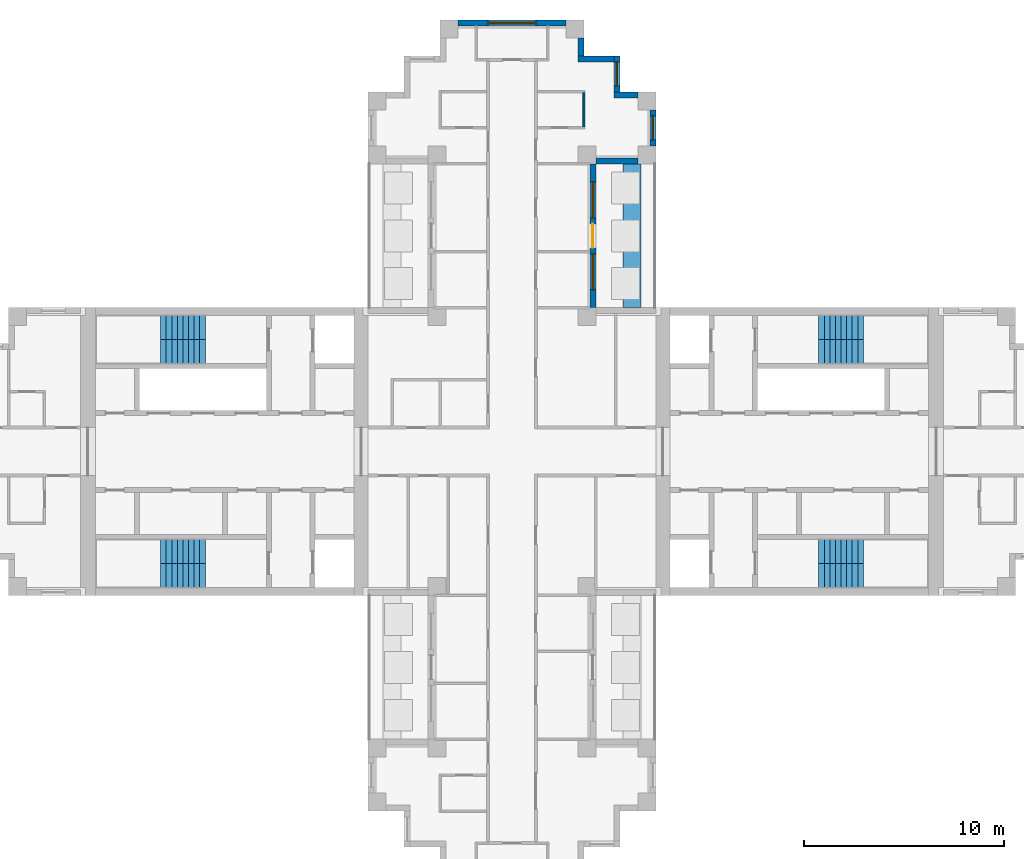
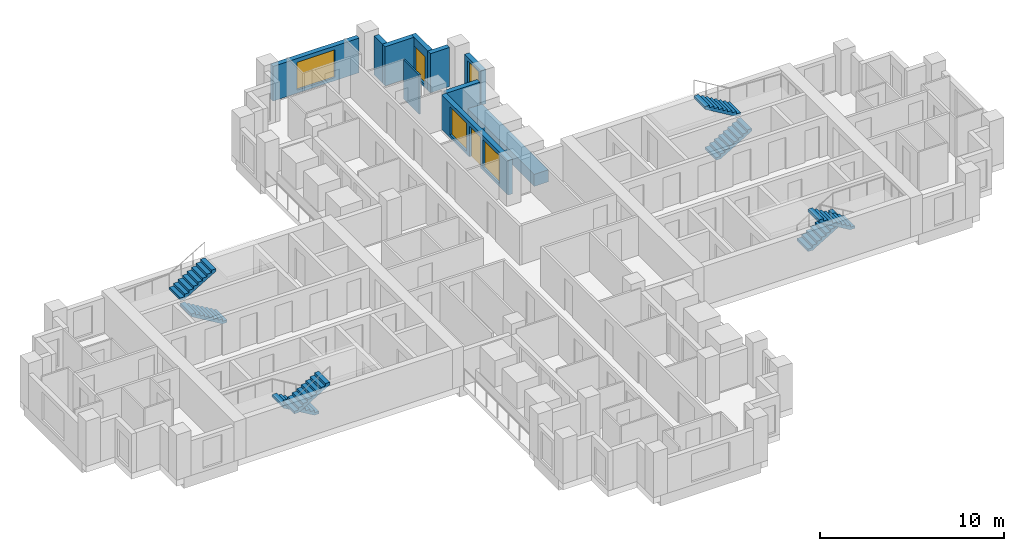
# One storey, part 8 of 10: 10 walls, 8 stair flights, 5 windows, 1 door, 6 openings, 4 elements without a shape of their own.
"""IFC4 building model written with IfcOpenShell, lengths in metres."""

from ifc_helpers import new_model, si_unit, direction, frame, frame_2d, origin, place, context, subcontext, project, spatial, polyline, rectangle, outline, extrude, material, layer, layer_set, type_object, element, fill, aggregate, save


model = new_model("IFC4")

# Units and contexts
model_context = context("Model", 3, precision=1e-05, world=origin(), true_north=direction((0.0, 1.0)))
body_context = subcontext(model_context, "Body", "Model", "MODEL_VIEW")
ifc_project = project(units=[si_unit("LENGTHUNIT", "METRE"), si_unit("AREAUNIT", "SQUARE_METRE"), si_unit("VOLUMEUNIT", "CUBIC_METRE"), si_unit("PLANEANGLEUNIT", "RADIAN"), si_unit("MASSUNIT", "GRAM", prefix="KILO")], contexts=[model_context])

# Site, building, storey
site_placement = place(None, origin())
site = spatial("IfcSite", under=ifc_project, at=site_placement, CompositionType="ELEMENT")
building_placement = place(site_placement, origin())
building = spatial("IfcBuilding", under=site, at=building_placement, Name="Fustian Cross Tower", CompositionType="ELEMENT")
storey_placement = place(building_placement, frame((0.0, 0.0, 231.89990234375)))
storey = spatial("IfcBuildingStorey", under=building, at=storey_placement, Name="L73", CompositionType="ELEMENT", Elevation=231.89990234375)

# Walls
ifc_material_1 = material(Name="Plasterboard on steel stud", Category="steel")
ifc_layer_1 = layer(ifc_material_1, 0.10009765625)
ifc_layer_set_1 = layer_set([ifc_layer_1], Name="Plasterboard on steel stud")
wall_type_1 = type_object("IfcWallType", Name="PARTITION 100 STUD", PredefinedType="PARTITIONING", material=ifc_layer_set_1)
wall_1_placement = place(storey_placement, frame((3.60009765625, 16.25, 0.0), z_axis=(0.0, 0.0, 1.0), x_axis=(0.0, 1.0, 0.0)))
element("IfcWall", 1, at=wall_1_placement, inside=storey, type_object=wall_type_1, Name="Partition 58", PredefinedType="PARTITIONING", context=body_context, shape_type="SweptSolid", body=[
    extrude(rectangle(XDim=1.699951171875, YDim=0.10009765625, at=frame_2d((0.85009765625, 0.0))), origin(), (0.0, 0.0, 1.0), 2.60009765625),
])
ifc_material_2 = material(Name="Concrete C40/50", Category="concrete")
ifc_layer_2 = layer(ifc_material_2, 0.89990234375)
ifc_layer_set_2 = layer_set([ifc_layer_2], Name="Concrete C40/50")
wall_type_2 = type_object("IfcWallType", Name="PK1 PLANTER 900", PredefinedType="PARAPET", material=ifc_layer_set_2)
wall_2_placement = place(storey_placement, frame((6.0, 7.199951171875, 0.0), z_axis=(0.0, 0.0, 1.0), x_axis=(0.0, 1.0, 0.0)))
element("IfcWall", 2, at=wall_2_placement, inside=storey, type_object=wall_type_2, Name="PLANTER", PredefinedType="PARAPET", context=body_context, shape_type="SweptSolid", body=[
    extrude(rectangle(XDim=7.199951171875, YDim=0.89990234375, at=frame_2d((3.60009765625, 0.0))), origin(), (0.0, 0.0, 1.0), 0.800048828125),
])

# Wall, openings, door, windows
ifc_material_3 = material(Name="Dark aluminium cladding on insulated backing wall", Category="aluminium")
ifc_layer_3 = layer(ifc_material_3, 0.300048828125)
ifc_layer_set_3 = layer_set([ifc_layer_3], Name="Dark aluminium cladding on insulated backing wall")
wall_type_3 = type_object("IfcWallType", Name="XW1 EXTERNAL WALL 300", PredefinedType="SOLIDWALL", material=ifc_layer_set_3)
wall_3_placement = place(storey_placement, frame((4.050048828125, 7.199951171875, 0.0), z_axis=(0.0, 0.0, 1.0), x_axis=(0.0, 1.0, 0.0)))
wall_3 = element("IfcWall", 3, at=wall_3_placement, inside=storey, type_object=wall_type_3, Name="External wall", PredefinedType="SOLIDWALL", context=body_context, shape_type="SweptSolid", body=[
    extrude(rectangle(XDim=7.199951171875, YDim=0.300048828125, at=frame_2d((3.60009765625, 0.0))), origin(), (0.0, 0.0, 1.0), 2.300048828125),
])
opening_1_placement = place(wall_3_placement, frame((3.0, 0.0, 0.0)))
opening_1 = element("IfcOpeningElement", 4, at=opening_1_placement, cuts=wall_3, Name="Opening XD1", PredefinedType="OPENING", context=body_context, shape_type="SweptSolid", body=[
    extrude(rectangle(XDim=1.199951171875, YDim=2.050048828125, at=frame_2d((0.60009765625, 1.02490234375))), frame((0.0, 0.159912109375, 0.0), z_axis=(0.0, -1.0, 0.0), x_axis=(1.0, 0.0, 0.0)), (0.0, 0.0, 1.0), 0.320068359375),
])
opening_2_placement = place(wall_3_placement, frame((0.89990234375, 0.0, 0.199951171875)))
opening_2 = element("IfcOpeningElement", 5, at=opening_2_placement, cuts=wall_3, Name="Opening WN2", PredefinedType="OPENING", context=body_context, shape_type="SweptSolid", body=[
    extrude(rectangle(XDim=1.800048828125, YDim=1.85009765625, at=frame_2d((0.89990234375, 0.925048828125))), frame((0.0, 0.159912109375, 0.0), z_axis=(0.0, -1.0, 0.0), x_axis=(1.0, 0.0, 0.0)), (0.0, 0.0, 1.0), 0.320068359375),
])
opening_3_placement = place(wall_3_placement, frame((4.5, 0.0, 0.199951171875)))
opening_3 = element("IfcOpeningElement", 6, at=opening_3_placement, cuts=wall_3, Name="Opening WN2", PredefinedType="OPENING", context=body_context, shape_type="SweptSolid", body=[
    extrude(rectangle(XDim=1.800048828125, YDim=1.85009765625, at=frame_2d((0.89990234375, 0.925048828125))), frame((0.0, 0.159912109375, 0.0), z_axis=(0.0, -1.0, 0.0), x_axis=(1.0, 0.0, 0.0)), (0.0, 0.0, 1.0), 0.320068359375),
])
ifc_material_4 = material(Name="Dark anodised aluminium and double glazing", Category="aluminium")
door_type = type_object("IfcDoorType", Name="ED1 BALCONY DOOR 1200X2050", OperationType="SINGLE_SWING_LEFT", PredefinedType="DOOR", material=ifc_material_4)
door_placement = place(opening_1_placement, origin())
door = element("IfcDoor", 7, at=door_placement, inside=storey, type_object=door_type, Name="Balcony door", OperationType="SINGLE_SWING_LEFT", OverallHeight=2.050048828125, OverallWidth=1.199951171875, PredefinedType="DOOR", context=body_context, shape_type="SweptSolid", body=[
    extrude(rectangle(XDim=1.199951171875, YDim=2.050048828125, at=frame_2d((0.60009765625, 1.02490234375))), frame((0.0, 0.02490234375, 0.0), z_axis=(0.0, -1.0, 0.0), x_axis=(1.0, 0.0, 0.0)), (0.0, 0.0, 1.0), 0.050048828125),
])
fill(opening_1, door)
ifc_material_5 = material(Name="Dark anodised aluminium and double glazing", Category="aluminium")
window_type_1 = type_object("IfcWindowType", Name="WN2 WINDOW 1800X1850", PartitioningType="SINGLE_PANEL", PredefinedType="WINDOW", material=ifc_material_5)
window_1_placement = place(opening_2_placement, origin())
window_1 = element("IfcWindow", 8, at=window_1_placement, inside=storey, type_object=window_type_1, Name="Window", OverallHeight=1.85009765625, OverallWidth=1.800048828125, PartitioningType="SINGLE_PANEL", PredefinedType="WINDOW", context=body_context, shape_type="SweptSolid", body=[
    extrude(rectangle(XDim=1.800048828125, YDim=1.85009765625, at=frame_2d((0.89990234375, 0.925048828125))), frame((0.0, 0.030029296875, 0.0), z_axis=(0.0, -1.0, 0.0), x_axis=(1.0, 0.0, 0.0)), (0.0, 0.0, 1.0), 0.06005859375),
])
fill(opening_2, window_1)
window_2_placement = place(opening_3_placement, origin())
window_2 = element("IfcWindow", 9, at=window_2_placement, inside=storey, type_object=window_type_1, Name="Window", OverallHeight=1.85009765625, OverallWidth=1.800048828125, PartitioningType="SINGLE_PANEL", PredefinedType="WINDOW", context=body_context, shape_type="SweptSolid", body=[
    extrude(rectangle(XDim=1.800048828125, YDim=1.85009765625, at=frame_2d((0.89990234375, 0.925048828125))), frame((0.0, 0.030029296875, 0.0), z_axis=(0.0, -1.0, 0.0), x_axis=(1.0, 0.0, 0.0)), (0.0, 0.0, 1.0), 0.06005859375),
])
fill(opening_3, window_2)

# Wall
wall_4_placement = place(storey_placement, frame((4.199951171875, 14.550048828125, 0.0), z_axis=(0.0, 0.0, 1.0), x_axis=(1.0, 0.0, 0.0)))
element("IfcWall", 10, at=wall_4_placement, inside=storey, type_object=wall_type_3, Name="External wall", PredefinedType="SOLIDWALL", context=body_context, shape_type="SweptSolid", body=[
    extrude(rectangle(XDim=2.10009765625, YDim=0.300048828125, at=frame_2d((1.050048828125, 0.0))), origin(), (0.0, 0.0, 1.0), 2.300048828125),
])

# Wall, opening, window
wall_5_placement = place(storey_placement, frame((7.050048828125, 15.300048828125, 0.0), z_axis=(0.0, 0.0, 1.0), x_axis=(0.0, 1.0, 0.0)))
wall_5 = element("IfcWall", 11, at=wall_5_placement, inside=storey, type_object=wall_type_3, Name="External wall", PredefinedType="SOLIDWALL", context=body_context, shape_type="SweptSolid", body=[
    extrude(rectangle(XDim=1.800048828125, YDim=0.300048828125, at=frame_2d((0.89990234375, 0.0))), origin(), (0.0, 0.0, 1.0), 2.300048828125),
])
opening_4_placement = place(wall_5_placement, frame((0.300048828125, 0.0, 0.199951171875)))
opening_4 = element("IfcOpeningElement", 12, at=opening_4_placement, cuts=wall_5, Name="Opening WN3", PredefinedType="OPENING", context=body_context, shape_type="SweptSolid", body=[
    extrude(rectangle(XDim=1.199951171875, YDim=1.85009765625, at=frame_2d((0.60009765625, 0.925048828125))), frame((0.0, 0.159912109375, 0.0), z_axis=(0.0, -1.0, 0.0), x_axis=(1.0, 0.0, 0.0)), (0.0, 0.0, 1.0), 0.320068359375),
])
ifc_material_6 = material(Name="Dark anodised aluminium and double glazing", Category="aluminium")
window_type_2 = type_object("IfcWindowType", Name="WN3 WINDOW 1200X1850", PartitioningType="SINGLE_PANEL", PredefinedType="WINDOW", material=ifc_material_6)
window_3_placement = place(opening_4_placement, origin())
window_3 = element("IfcWindow", 13, at=window_3_placement, inside=storey, type_object=window_type_2, Name="Window", OverallHeight=1.85009765625, OverallWidth=1.199951171875, PartitioningType="SINGLE_PANEL", PredefinedType="WINDOW", context=body_context, shape_type="SweptSolid", body=[
    extrude(rectangle(XDim=1.199951171875, YDim=1.85009765625, at=frame_2d((0.60009765625, 0.925048828125))), frame((0.0, 0.030029296875, 0.0), z_axis=(0.0, -1.0, 0.0), x_axis=(1.0, 0.0, 0.0)), (0.0, 0.0, 1.0), 0.06005859375),
])
fill(opening_4, window_3)

# Wall
wall_6_placement = place(storey_placement, frame((6.300048828125, 17.85009765625, 0.0), z_axis=(0.0, 0.0, 1.0), x_axis=(-1.0, 0.0, 0.0)))
element("IfcWall", 14, at=wall_6_placement, inside=storey, type_object=wall_type_3, Name="External wall", PredefinedType="SOLIDWALL", context=body_context, shape_type="SweptSolid", body=[
    extrude(rectangle(XDim=1.199951171875, YDim=0.300048828125, at=frame_2d((0.60009765625, 0.0))), origin(), (0.0, 0.0, 1.0), 2.60009765625),
])

# Wall, opening, window
wall_7_placement = place(storey_placement, frame((5.25, 18.0, 0.0), z_axis=(0.0, 0.0, 1.0), x_axis=(0.0, 1.0, 0.0)))
wall_7 = element("IfcWall", 15, at=wall_7_placement, inside=storey, type_object=wall_type_3, Name="External wall", PredefinedType="SOLIDWALL", context=body_context, shape_type="SweptSolid", body=[
    extrude(rectangle(XDim=1.800048828125, YDim=0.300048828125, at=frame_2d((0.89990234375, 0.0))), origin(), (0.0, 0.0, 1.0), 2.60009765625),
])
opening_5_placement = place(wall_7_placement, frame((0.300048828125, 0.0, 0.199951171875)))
opening_5 = element("IfcOpeningElement", 16, at=opening_5_placement, cuts=wall_7, Name="Opening WN3", PredefinedType="OPENING", context=body_context, shape_type="SweptSolid", body=[
    extrude(rectangle(XDim=1.199951171875, YDim=1.85009765625, at=frame_2d((0.60009765625, 0.925048828125))), frame((0.0, 0.159912109375, 0.0), z_axis=(0.0, -1.0, 0.0), x_axis=(1.0, 0.0, 0.0)), (0.0, 0.0, 1.0), 0.320068359375),
])
window_4_placement = place(opening_5_placement, origin())
window_4 = element("IfcWindow", 17, at=window_4_placement, inside=storey, type_object=window_type_2, Name="Window", OverallHeight=1.85009765625, OverallWidth=1.199951171875, PartitioningType="SINGLE_PANEL", PredefinedType="WINDOW", context=body_context, shape_type="SweptSolid", body=[
    extrude(rectangle(XDim=1.199951171875, YDim=1.85009765625, at=frame_2d((0.60009765625, 0.925048828125))), frame((0.0, 0.030029296875, 0.0), z_axis=(0.0, -1.0, 0.0), x_axis=(1.0, 0.0, 0.0)), (0.0, 0.0, 1.0), 0.06005859375),
])
fill(opening_5, window_4)

# Walls
wall_8_placement = place(storey_placement, frame((5.10009765625, 19.64990234375, 0.0), z_axis=(0.0, 0.0, 1.0), x_axis=(-1.0, 0.0, 0.0)))
element("IfcWall", 18, at=wall_8_placement, inside=storey, type_object=wall_type_3, Name="External wall", PredefinedType="SOLIDWALL", context=body_context, shape_type="SweptSolid", body=[
    extrude(rectangle(XDim=1.800048828125, YDim=0.300048828125, at=frame_2d((0.89990234375, 0.0))), origin(), (0.0, 0.0, 1.0), 2.60009765625),
])
wall_9_placement = place(storey_placement, frame((3.449951171875, 19.800048828125, 0.0), z_axis=(0.0, 0.0, 1.0), x_axis=(0.0, 1.0, 0.0)))
element("IfcWall", 19, at=wall_9_placement, inside=storey, type_object=wall_type_3, Name="External wall", PredefinedType="SOLIDWALL", context=body_context, shape_type="SweptSolid", body=[
    extrude(rectangle(XDim=0.89990234375, YDim=0.300048828125, at=frame_2d((0.449951171875, 0.0))), origin(), (0.0, 0.0, 1.0), 2.60009765625),
])

# Wall, opening, window
wall_10_placement = place(storey_placement, frame((2.699951171875, 21.449951171875, 0.0), z_axis=(0.0, 0.0, 1.0), x_axis=(-1.0, 0.0, 0.0)))
wall_10 = element("IfcWall", 20, at=wall_10_placement, inside=storey, type_object=wall_type_3, Name="External wall", PredefinedType="SOLIDWALL", context=body_context, shape_type="SweptSolid", body=[
    extrude(rectangle(XDim=5.39990234375, YDim=0.300048828125, at=frame_2d((2.699951171875, 0.0))), origin(), (0.0, 0.0, 1.0), 2.300048828125),
])
opening_6_placement = place(wall_10_placement, frame((1.5, 0.0, 0.199951171875)))
opening_6 = element("IfcOpeningElement", 21, at=opening_6_placement, cuts=wall_10, Name="Opening WN1", PredefinedType="OPENING", context=body_context, shape_type="SweptSolid", body=[
    extrude(rectangle(XDim=2.39990234375, YDim=1.85009765625, at=frame_2d((1.199951171875, 0.925048828125))), frame((0.0, 0.159912109375, 0.0), z_axis=(0.0, -1.0, 0.0), x_axis=(1.0, 0.0, 0.0)), (0.0, 0.0, 1.0), 0.320068359375),
])
ifc_material_7 = material(Name="Dark anodised aluminium and double glazing", Category="aluminium")
window_type_3 = type_object("IfcWindowType", Name="WN1 WINDOW 2400X1850", PartitioningType="SINGLE_PANEL", PredefinedType="WINDOW", material=ifc_material_7)
window_5_placement = place(opening_6_placement, origin())
window_5 = element("IfcWindow", 22, at=window_5_placement, inside=storey, type_object=window_type_3, Name="Window", OverallHeight=1.85009765625, OverallWidth=2.39990234375, PartitioningType="SINGLE_PANEL", PredefinedType="WINDOW", context=body_context, shape_type="SweptSolid", body=[
    extrude(rectangle(XDim=2.39990234375, YDim=1.85009765625, at=frame_2d((1.199951171875, 0.925048828125))), frame((0.0, 0.030029296875, 0.0), z_axis=(0.0, -1.0, 0.0), x_axis=(1.0, 0.0, 0.0)), (0.0, 0.0, 1.0), 0.06005859375),
])
fill(opening_6, window_5)

# Stair, stair flights
ifc_material_8 = material(Name="Concrete C50/60", Category="concrete")
stair_type = type_object("IfcStairType", Name="STAIR 1200 HALF TURN", PredefinedType="HALF_TURN_STAIR", material=ifc_material_8)
stair_1_placement = place(storey_placement, origin())
stair_1 = element("IfcStair", 23, at=stair_1_placement, inside=storey, type_object=stair_type, Name="Stair ST1", PredefinedType="HALF_TURN_STAIR")
ifc_material_9 = material(Name="Concrete C50/60", Category="concrete")
stair_flight_type = type_object("IfcStairFlightType", Name="STAIR FLIGHT 1200", PredefinedType="STRAIGHT", material=ifc_material_9)
stair_flight_1_placement = place(storey_placement, frame((15.35009765625, 5.0, 0.0), z_axis=(0.0, 0.0, 1.0), x_axis=(1.0, 0.0, 0.0)))
stair_flight_1 = element("IfcStairFlight", 24, at=stair_flight_1_placement, type_object=stair_flight_type, Name="ST1 flight 1", NumberOfRisers=9, NumberOfTreads=8, PredefinedType="STRAIGHT", RiserHeight=0.166666667, TreadLength=0.28, context=body_context, shape_type="SweptSolid", body=[
    extrude(outline(polyline([(0.0, 0.0), (0.0, 0.166748046875), (0.280029296875, 0.166748046875), (0.280029296875, 0.333251953125), (0.56005859375, 0.333251953125), (0.56005859375, 0.5), (0.840087890625, 0.5), (0.840087890625, 0.666748046875), (1.1201171875, 0.666748046875), (1.1201171875, 0.833251953125), (1.39990234375, 0.833251953125), (1.39990234375, 1.0), (1.679931640625, 1.0), (1.679931640625, 1.166748046875), (1.9599609375, 1.166748046875), (1.9599609375, 1.333251953125), (2.239990234375, 1.333251953125), (2.239990234375, 1.5), (2.239990234375, 1.158935546875), (0.29296875, 0.0), (0.0, 0.0)])), frame((0.0, 0.60009765625, 0.0), z_axis=(0.0, -1.0, 0.0), x_axis=(1.0, 0.0, 0.0)), (0.0, 0.0, 1.0), 1.199951171875),
])
stair_flight_2_placement = place(storey_placement, frame((17.590087890625, 6.199951171875, 1.5), z_axis=(0.0, 0.0, 1.0), x_axis=(-1.0, 0.0, 0.0)))
stair_flight_2 = element("IfcStairFlight", 25, at=stair_flight_2_placement, type_object=stair_flight_type, Name="ST1 flight 2", NumberOfRisers=9, NumberOfTreads=8, PredefinedType="STRAIGHT", RiserHeight=0.166666667, TreadLength=0.28, context=body_context, shape_type="SweptSolid", body=[
    extrude(outline(polyline([(0.0, 0.0), (0.0, 0.166748046875), (0.280029296875, 0.166748046875), (0.280029296875, 0.333251953125), (0.56005859375, 0.333251953125), (0.56005859375, 0.5), (0.840087890625, 0.5), (0.840087890625, 0.666748046875), (1.1201171875, 0.666748046875), (1.1201171875, 0.833251953125), (1.39990234375, 0.833251953125), (1.39990234375, 1.0), (1.679931640625, 1.0), (1.679931640625, 1.166748046875), (1.9599609375, 1.166748046875), (1.9599609375, 1.333251953125), (2.239990234375, 1.333251953125), (2.239990234375, 1.5), (2.239990234375, 1.158935546875), (0.29296875, 0.0), (0.0, 0.0)])), frame((0.0, 0.60009765625, 0.0), z_axis=(0.0, -1.0, 0.0), x_axis=(1.0, 0.0, 0.0)), (0.0, 0.0, 1.0), 1.199951171875),
])
aggregate(stair_1, [stair_flight_1, stair_flight_2])

stair_2_placement = place(storey_placement, origin())
stair_2 = element("IfcStair", 26, at=stair_2_placement, inside=storey, type_object=stair_type, Name="Stair ST2", PredefinedType="HALF_TURN_STAIR")
stair_flight_3_placement = place(storey_placement, frame((15.35009765625, -5.0, 0.0), z_axis=(0.0, 0.0, 1.0), x_axis=(1.0, 0.0, 0.0)))
stair_flight_3 = element("IfcStairFlight", 27, at=stair_flight_3_placement, type_object=stair_flight_type, Name="ST2 flight 1", NumberOfRisers=9, NumberOfTreads=8, PredefinedType="STRAIGHT", RiserHeight=0.166666667, TreadLength=0.28, context=body_context, shape_type="SweptSolid", body=[
    extrude(outline(polyline([(0.0, 0.0), (0.0, 0.166748046875), (0.280029296875, 0.166748046875), (0.280029296875, 0.333251953125), (0.56005859375, 0.333251953125), (0.56005859375, 0.5), (0.840087890625, 0.5), (0.840087890625, 0.666748046875), (1.1201171875, 0.666748046875), (1.1201171875, 0.833251953125), (1.39990234375, 0.833251953125), (1.39990234375, 1.0), (1.679931640625, 1.0), (1.679931640625, 1.166748046875), (1.9599609375, 1.166748046875), (1.9599609375, 1.333251953125), (2.239990234375, 1.333251953125), (2.239990234375, 1.5), (2.239990234375, 1.158935546875), (0.29296875, 0.0), (0.0, 0.0)])), frame((0.0, 0.60009765625, 0.0), z_axis=(0.0, -1.0, 0.0), x_axis=(1.0, 0.0, 0.0)), (0.0, 0.0, 1.0), 1.199951171875),
])
stair_flight_4_placement = place(storey_placement, frame((17.590087890625, -6.199951171875, 1.5), z_axis=(0.0, 0.0, 1.0), x_axis=(-1.0, 0.0, 0.0)))
stair_flight_4 = element("IfcStairFlight", 28, at=stair_flight_4_placement, type_object=stair_flight_type, Name="ST2 flight 2", NumberOfRisers=9, NumberOfTreads=8, PredefinedType="STRAIGHT", RiserHeight=0.166666667, TreadLength=0.28, context=body_context, shape_type="SweptSolid", body=[
    extrude(outline(polyline([(0.0, 0.0), (0.0, 0.166748046875), (0.280029296875, 0.166748046875), (0.280029296875, 0.333251953125), (0.56005859375, 0.333251953125), (0.56005859375, 0.5), (0.840087890625, 0.5), (0.840087890625, 0.666748046875), (1.1201171875, 0.666748046875), (1.1201171875, 0.833251953125), (1.39990234375, 0.833251953125), (1.39990234375, 1.0), (1.679931640625, 1.0), (1.679931640625, 1.166748046875), (1.9599609375, 1.166748046875), (1.9599609375, 1.333251953125), (2.239990234375, 1.333251953125), (2.239990234375, 1.5), (2.239990234375, 1.158935546875), (0.29296875, 0.0), (0.0, 0.0)])), frame((0.0, 0.60009765625, 0.0), z_axis=(0.0, -1.0, 0.0), x_axis=(1.0, 0.0, 0.0)), (0.0, 0.0, 1.0), 1.199951171875),
])
aggregate(stair_2, [stair_flight_3, stair_flight_4])

stair_3_placement = place(storey_placement, origin())
stair_3 = element("IfcStair", 29, at=stair_3_placement, inside=storey, type_object=stair_type, Name="Stair ST3", PredefinedType="HALF_TURN_STAIR")
stair_flight_5_placement = place(storey_placement, frame((-15.35009765625, 5.0, 0.0), z_axis=(0.0, 0.0, 1.0), x_axis=(-1.0, 0.0, 0.0)))
stair_flight_5 = element("IfcStairFlight", 30, at=stair_flight_5_placement, type_object=stair_flight_type, Name="ST3 flight 1", NumberOfRisers=9, NumberOfTreads=8, PredefinedType="STRAIGHT", RiserHeight=0.166666667, TreadLength=0.28, context=body_context, shape_type="SweptSolid", body=[
    extrude(outline(polyline([(0.0, 0.0), (0.0, 0.166748046875), (0.280029296875, 0.166748046875), (0.280029296875, 0.333251953125), (0.56005859375, 0.333251953125), (0.56005859375, 0.5), (0.840087890625, 0.5), (0.840087890625, 0.666748046875), (1.1201171875, 0.666748046875), (1.1201171875, 0.833251953125), (1.39990234375, 0.833251953125), (1.39990234375, 1.0), (1.679931640625, 1.0), (1.679931640625, 1.166748046875), (1.9599609375, 1.166748046875), (1.9599609375, 1.333251953125), (2.239990234375, 1.333251953125), (2.239990234375, 1.5), (2.239990234375, 1.158935546875), (0.29296875, 0.0), (0.0, 0.0)])), frame((0.0, 0.60009765625, 0.0), z_axis=(0.0, -1.0, 0.0), x_axis=(1.0, 0.0, 0.0)), (0.0, 0.0, 1.0), 1.199951171875),
])
stair_flight_6_placement = place(storey_placement, frame((-17.590087890625, 6.199951171875, 1.5), z_axis=(0.0, 0.0, 1.0), x_axis=(1.0, 0.0, 0.0)))
stair_flight_6 = element("IfcStairFlight", 31, at=stair_flight_6_placement, type_object=stair_flight_type, Name="ST3 flight 2", NumberOfRisers=9, NumberOfTreads=8, PredefinedType="STRAIGHT", RiserHeight=0.166666667, TreadLength=0.28, context=body_context, shape_type="SweptSolid", body=[
    extrude(outline(polyline([(0.0, 0.0), (0.0, 0.166748046875), (0.280029296875, 0.166748046875), (0.280029296875, 0.333251953125), (0.56005859375, 0.333251953125), (0.56005859375, 0.5), (0.840087890625, 0.5), (0.840087890625, 0.666748046875), (1.1201171875, 0.666748046875), (1.1201171875, 0.833251953125), (1.39990234375, 0.833251953125), (1.39990234375, 1.0), (1.679931640625, 1.0), (1.679931640625, 1.166748046875), (1.9599609375, 1.166748046875), (1.9599609375, 1.333251953125), (2.239990234375, 1.333251953125), (2.239990234375, 1.5), (2.239990234375, 1.158935546875), (0.29296875, 0.0), (0.0, 0.0)])), frame((0.0, 0.60009765625, 0.0), z_axis=(0.0, -1.0, 0.0), x_axis=(1.0, 0.0, 0.0)), (0.0, 0.0, 1.0), 1.199951171875),
])
aggregate(stair_3, [stair_flight_5, stair_flight_6])

stair_4_placement = place(storey_placement, origin())
stair_4 = element("IfcStair", 32, at=stair_4_placement, inside=storey, type_object=stair_type, Name="Stair ST4", PredefinedType="HALF_TURN_STAIR")
stair_flight_7_placement = place(storey_placement, frame((-15.35009765625, -5.0, 0.0), z_axis=(0.0, 0.0, 1.0), x_axis=(-1.0, 0.0, 0.0)))
stair_flight_7 = element("IfcStairFlight", 33, at=stair_flight_7_placement, type_object=stair_flight_type, Name="ST4 flight 1", NumberOfRisers=9, NumberOfTreads=8, PredefinedType="STRAIGHT", RiserHeight=0.166666667, TreadLength=0.28, context=body_context, shape_type="SweptSolid", body=[
    extrude(outline(polyline([(0.0, 0.0), (0.0, 0.166748046875), (0.280029296875, 0.166748046875), (0.280029296875, 0.333251953125), (0.56005859375, 0.333251953125), (0.56005859375, 0.5), (0.840087890625, 0.5), (0.840087890625, 0.666748046875), (1.1201171875, 0.666748046875), (1.1201171875, 0.833251953125), (1.39990234375, 0.833251953125), (1.39990234375, 1.0), (1.679931640625, 1.0), (1.679931640625, 1.166748046875), (1.9599609375, 1.166748046875), (1.9599609375, 1.333251953125), (2.239990234375, 1.333251953125), (2.239990234375, 1.5), (2.239990234375, 1.158935546875), (0.29296875, 0.0), (0.0, 0.0)])), frame((0.0, 0.60009765625, 0.0), z_axis=(0.0, -1.0, 0.0), x_axis=(1.0, 0.0, 0.0)), (0.0, 0.0, 1.0), 1.199951171875),
])
stair_flight_8_placement = place(storey_placement, frame((-17.590087890625, -6.199951171875, 1.5), z_axis=(0.0, 0.0, 1.0), x_axis=(1.0, 0.0, 0.0)))
stair_flight_8 = element("IfcStairFlight", 34, at=stair_flight_8_placement, type_object=stair_flight_type, Name="ST4 flight 2", NumberOfRisers=9, NumberOfTreads=8, PredefinedType="STRAIGHT", RiserHeight=0.166666667, TreadLength=0.28, context=body_context, shape_type="SweptSolid", body=[
    extrude(outline(polyline([(0.0, 0.0), (0.0, 0.166748046875), (0.280029296875, 0.166748046875), (0.280029296875, 0.333251953125), (0.56005859375, 0.333251953125), (0.56005859375, 0.5), (0.840087890625, 0.5), (0.840087890625, 0.666748046875), (1.1201171875, 0.666748046875), (1.1201171875, 0.833251953125), (1.39990234375, 0.833251953125), (1.39990234375, 1.0), (1.679931640625, 1.0), (1.679931640625, 1.166748046875), (1.9599609375, 1.166748046875), (1.9599609375, 1.333251953125), (2.239990234375, 1.333251953125), (2.239990234375, 1.5), (2.239990234375, 1.158935546875), (0.29296875, 0.0), (0.0, 0.0)])), frame((0.0, 0.60009765625, 0.0), z_axis=(0.0, -1.0, 0.0), x_axis=(1.0, 0.0, 0.0)), (0.0, 0.0, 1.0), 1.199951171875),
])
aggregate(stair_4, [stair_flight_7, stair_flight_8])

save(model, "model.ifc")
